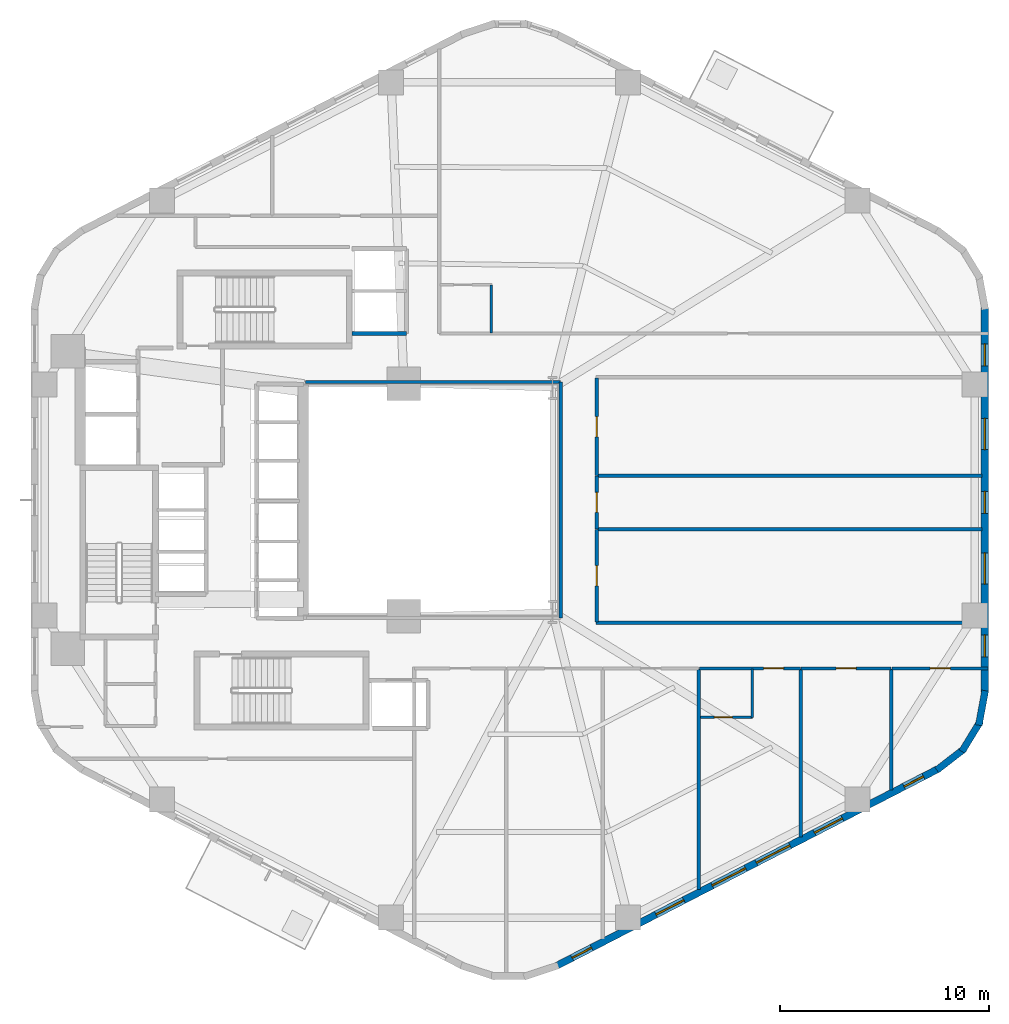
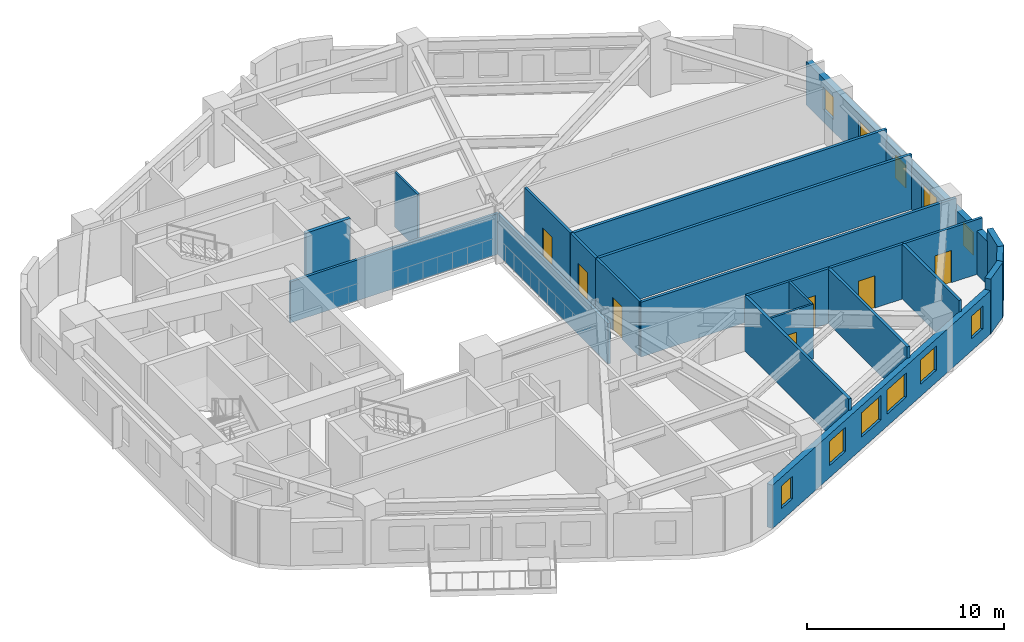
# One storey, part 4 of 8: 23 walls, 11 windows, 7 doors, 18 openings.
"""IFC4 building model written with IfcOpenShell, lengths in metres."""

from ifc_helpers import new_model, si_unit, direction, frame, frame_2d, origin, place, context, subcontext, project, spatial, rectangle, extrude, material, layer, layer_set, type_object, element, fill, save


model = new_model("IFC4")

# Units and contexts
model_context = context("Model", 3, precision=1e-05, world=origin(), true_north=direction((0.0, 1.0)))
body_context = subcontext(model_context, "Body", "Model", "MODEL_VIEW")
ifc_project = project(units=[si_unit("LENGTHUNIT", "METRE"), si_unit("AREAUNIT", "SQUARE_METRE"), si_unit("VOLUMEUNIT", "CUBIC_METRE"), si_unit("PLANEANGLEUNIT", "RADIAN"), si_unit("MASSUNIT", "GRAM", prefix="KILO"), si_unit("THERMODYNAMICTEMPERATUREUNIT", "KELVIN"), si_unit("POWERUNIT", "WATT")], contexts=[model_context])

# Site, building, storey
site_placement = place(None, origin())
site = spatial("IfcSite", under=ifc_project, at=site_placement, CompositionType="ELEMENT")
building_placement = place(site_placement, origin())
building = spatial("IfcBuilding", under=site, at=building_placement, Name="Skarre Station Tower", CompositionType="ELEMENT")
storey_placement = place(building_placement, frame((0.0, 0.0, 81.75)))
storey = spatial("IfcBuildingStorey", under=building, at=storey_placement, Name="L21", CompositionType="ELEMENT", Elevation=81.75)

# Walls
ifc_material_1 = material(Name="Acoustic Steel-Stud Gypsum Partition", Category="steel")
ifc_layer_1 = layer(ifc_material_1, 0.14990234375, Name="Acoustic Steel-Stud Gypsum Partition")
ifc_layer_set_1 = layer_set([ifc_layer_1], Name="Acoustic Steel-Stud Gypsum Partition")
wall_type_1 = type_object("IfcWallType", Name="Fire-Rated Corridor Acoustic Partition 150", PredefinedType="PARTITIONING", material=ifc_layer_set_1)
wall_1_placement = place(storey_placement, frame((39.840087890625, 29.639892578125, 0.0), z_axis=(0.0, 0.0, 1.0), x_axis=(-1.0, 0.0, 0.0)))
element("IfcWall", 1, at=wall_1_placement, inside=storey, type_object=wall_type_1, Name="L21 Interior Partition WL-PT-L21-ATRW-N", PredefinedType="PARTITIONING", context=body_context, shape_type="SweptSolid", body=[
    extrude(rectangle(XDim=12.2001953125, YDim=0.14990234375, at=frame_2d((6.10009765625, 0.0))), origin(), (0.0, 0.0, 1.0), 2.531005859375),
])
wall_2_placement = place(storey_placement, frame((39.840087890625, 18.360107421875, 0.0), z_axis=(0.0, 0.0, 1.0), x_axis=(0.0, 1.0, 0.0)))
element("IfcWall", 2, at=wall_2_placement, inside=storey, type_object=wall_type_1, Name="L21 Interior Partition WL-PT-L21-ATRW-E", PredefinedType="PARTITIONING", context=body_context, shape_type="SweptSolid", body=[
    extrude(rectangle(XDim=11.27978515625, YDim=0.14990234375, at=frame_2d((5.639892578125, 0.0))), origin(), (0.0, 0.0, 1.0), 2.512939453125),
])

# Wall, opening, door
wall_3_placement = place(storey_placement, frame((41.56005859375, 18.179931640625, 0.0), z_axis=(0.0, 0.0, 1.0), x_axis=(0.0, 1.0, 0.0)))
wall_3 = element("IfcWall", 3, at=wall_3_placement, inside=storey, type_object=wall_type_1, Name="L21 Interior Partition WL-PT-L21-EW1-CW", PredefinedType="PARTITIONING", context=body_context, shape_type="SweptSolid", body=[
    extrude(rectangle(XDim=4.405029296875, YDim=0.14990234375, at=frame_2d((2.20263671875, 0.0))), origin(), (0.0, 0.0, 1.0), 3.389892578125),
])
opening_1_placement = place(wall_3_placement, frame((1.722900390625, 0.0, 0.0)))
opening_1 = element("IfcOpeningElement", 4, at=opening_1_placement, cuts=wall_3, Name="Opening DR-FD60", PredefinedType="OPENING", context=body_context, shape_type="SweptSolid", body=[
    extrude(rectangle(XDim=0.9599609375, YDim=2.0, at=frame_2d((0.47998046875, 1.0))), frame((0.0, 0.0849609375, 0.0), z_axis=(0.0, -1.0, 0.0), x_axis=(1.0, 0.0, 0.0)), (0.0, 0.0, 1.0), 0.169921875),
])
ifc_material_2 = material(Name="Nordic White-Oak Veneer Solid-Core Fire Leaf", Category="wood")
door_type_1 = type_object("IfcDoorType", Name="Corridor Suite Entry Fire Door FD60 960x2150", OperationType="SINGLE_SWING_LEFT", PredefinedType="DOOR", material=ifc_material_2)
door_1_placement = place(opening_1_placement, origin())
door_1 = element("IfcDoor", 5, at=door_1_placement, inside=storey, type_object=door_type_1, Name="L21 EW1 Entry Door", OperationType="SINGLE_SWING_LEFT", OverallHeight=2.0, OverallWidth=0.9599609375, PredefinedType="DOOR", context=body_context, shape_type="SweptSolid", body=[
    extrude(rectangle(XDim=0.9599609375, YDim=2.0, at=frame_2d((0.47998046875, 1.0))), frame((0.0, 0.02490234375, 0.0), z_axis=(0.0, -1.0, 0.0), x_axis=(1.0, 0.0, 0.0)), (0.0, 0.0, 1.0), 0.050048828125),
])
fill(opening_1, door_1)

wall_4_placement = place(storey_placement, frame((41.56005859375, 22.62109375, 0.0), z_axis=(0.0, 0.0, 1.0), x_axis=(0.0, 1.0, 0.0)))
wall_4 = element("IfcWall", 6, at=wall_4_placement, inside=storey, type_object=wall_type_1, Name="L21 Interior Partition WL-PT-L21-EW2-CW", PredefinedType="PARTITIONING", context=body_context, shape_type="SweptSolid", body=[
    extrude(rectangle(XDim=2.52490234375, YDim=0.14990234375, at=frame_2d((1.262451171875, 0.0))), origin(), (0.0, 0.0, 1.0), 3.389892578125),
])
opening_2_placement = place(wall_4_placement, frame((0.782958984375, 0.0, 0.0)))
opening_2 = element("IfcOpeningElement", 7, at=opening_2_placement, cuts=wall_4, Name="Opening DR-FD60", PredefinedType="OPENING", context=body_context, shape_type="SweptSolid", body=[
    extrude(rectangle(XDim=0.9599609375, YDim=2.0, at=frame_2d((0.47998046875, 1.0))), frame((0.0, 0.0849609375, 0.0), z_axis=(0.0, -1.0, 0.0), x_axis=(1.0, 0.0, 0.0)), (0.0, 0.0, 1.0), 0.169921875),
])
door_2_placement = place(opening_2_placement, origin())
door_2 = element("IfcDoor", 8, at=door_2_placement, inside=storey, type_object=door_type_1, Name="L21 EW2 Entry Door", OperationType="SINGLE_SWING_LEFT", OverallHeight=2.0, OverallWidth=0.9599609375, PredefinedType="DOOR", context=body_context, shape_type="SweptSolid", body=[
    extrude(rectangle(XDim=0.9599609375, YDim=2.0, at=frame_2d((0.47998046875, 1.0))), frame((0.0, 0.02490234375, 0.0), z_axis=(0.0, -1.0, 0.0), x_axis=(1.0, 0.0, 0.0)), (0.0, 0.0, 1.0), 0.050048828125),
])
fill(opening_2, door_2)

wall_5_placement = place(storey_placement, frame((41.56005859375, 25.181884765625, 0.0), z_axis=(0.0, 0.0, 1.0), x_axis=(0.0, 1.0, 0.0)))
wall_5 = element("IfcWall", 9, at=wall_5_placement, inside=storey, type_object=wall_type_1, Name="L21 Interior Partition WL-PT-L21-EW3-CW", PredefinedType="PARTITIONING", context=body_context, shape_type="SweptSolid", body=[
    extrude(rectangle(XDim=4.63818359375, YDim=0.14990234375, at=frame_2d((2.319091796875, 0.0))), origin(), (0.0, 0.0, 1.0), 3.389892578125),
])
opening_3_placement = place(wall_5_placement, frame((1.839111328125, 0.0, 0.0)))
opening_3 = element("IfcOpeningElement", 10, at=opening_3_placement, cuts=wall_5, Name="Opening DR-FD60", PredefinedType="OPENING", context=body_context, shape_type="SweptSolid", body=[
    extrude(rectangle(XDim=0.9599609375, YDim=2.0, at=frame_2d((0.47998046875, 1.0))), frame((0.0, 0.0849609375, 0.0), z_axis=(0.0, -1.0, 0.0), x_axis=(1.0, 0.0, 0.0)), (0.0, 0.0, 1.0), 0.169921875),
])
door_3_placement = place(opening_3_placement, origin())
door_3 = element("IfcDoor", 11, at=door_3_placement, inside=storey, type_object=door_type_1, Name="L21 EW3 Entry Door", OperationType="SINGLE_SWING_LEFT", OverallHeight=2.0, OverallWidth=0.9599609375, PredefinedType="DOOR", context=body_context, shape_type="SweptSolid", body=[
    extrude(rectangle(XDim=0.9599609375, YDim=2.0, at=frame_2d((0.47998046875, 1.0))), frame((0.0, 0.02490234375, 0.0), z_axis=(0.0, -1.0, 0.0), x_axis=(1.0, 0.0, 0.0)), (0.0, 0.0, 1.0), 0.050048828125),
])
fill(opening_3, door_3)

wall_6_placement = place(storey_placement, frame((46.4599609375, 15.9599609375, 0.0), z_axis=(0.0, 0.0, 1.0), x_axis=(1.0, 0.0, 0.0)))
wall_6 = element("IfcWall", 12, at=wall_6_placement, inside=storey, type_object=wall_type_1, Name="L21 Interior Partition WL-PT-L21-SW4-CW", PredefinedType="PARTITIONING", context=body_context, shape_type="SweptSolid", body=[
    extrude(rectangle(XDim=4.8310546875, YDim=0.14990234375, at=frame_2d((2.41552734375, 0.0))), origin(), (0.0, 0.0, 1.0), 3.389892578125),
])
opening_4_placement = place(wall_6_placement, frame((3.071044921875, 0.0, 0.0)))
opening_4 = element("IfcOpeningElement", 13, at=opening_4_placement, cuts=wall_6, Name="Opening DR-FD60", PredefinedType="OPENING", context=body_context, shape_type="SweptSolid", body=[
    extrude(rectangle(XDim=0.9599609375, YDim=2.0, at=frame_2d((0.47998046875, 1.0))), frame((0.0, 0.0849609375, 0.0), z_axis=(0.0, -1.0, 0.0), x_axis=(1.0, 0.0, 0.0)), (0.0, 0.0, 1.0), 0.169921875),
])
door_4_placement = place(opening_4_placement, origin())
door_4 = element("IfcDoor", 14, at=door_4_placement, inside=storey, type_object=door_type_1, Name="L21 SW4 Entry Door", OperationType="SINGLE_SWING_LEFT", OverallHeight=2.0, OverallWidth=0.9599609375, PredefinedType="DOOR", context=body_context, shape_type="SweptSolid", body=[
    extrude(rectangle(XDim=0.9599609375, YDim=2.0, at=frame_2d((0.47998046875, 1.0))), frame((0.0, 0.02490234375, 0.0), z_axis=(0.0, -1.0, 0.0), x_axis=(1.0, 0.0, 0.0)), (0.0, 0.0, 1.0), 0.050048828125),
])
fill(opening_4, door_4)

wall_7_placement = place(storey_placement, frame((51.326904296875, 15.9599609375, 0.0), z_axis=(0.0, 0.0, 1.0), x_axis=(1.0, 0.0, 0.0)))
wall_7 = element("IfcWall", 15, at=wall_7_placement, inside=storey, type_object=wall_type_1, Name="L21 Interior Partition WL-PT-L21-SW5-CW", PredefinedType="PARTITIONING", context=body_context, shape_type="SweptSolid", body=[
    extrude(rectangle(XDim=4.291015625, YDim=0.14990234375, at=frame_2d((2.1455078125, 0.0))), origin(), (0.0, 0.0, 1.0), 3.389892578125),
])
opening_5_placement = place(wall_7_placement, frame((1.666015625, 0.0, 0.0)))
opening_5 = element("IfcOpeningElement", 16, at=opening_5_placement, cuts=wall_7, Name="Opening DR-FD60", PredefinedType="OPENING", context=body_context, shape_type="SweptSolid", body=[
    extrude(rectangle(XDim=0.9599609375, YDim=2.0, at=frame_2d((0.47998046875, 1.0))), frame((0.0, 0.0849609375, 0.0), z_axis=(0.0, -1.0, 0.0), x_axis=(1.0, 0.0, 0.0)), (0.0, 0.0, 1.0), 0.169921875),
])
door_5_placement = place(opening_5_placement, origin())
door_5 = element("IfcDoor", 17, at=door_5_placement, inside=storey, type_object=door_type_1, Name="L21 SW5 Entry Door", OperationType="SINGLE_SWING_LEFT", OverallHeight=2.0, OverallWidth=0.9599609375, PredefinedType="DOOR", context=body_context, shape_type="SweptSolid", body=[
    extrude(rectangle(XDim=0.9599609375, YDim=2.0, at=frame_2d((0.47998046875, 1.0))), frame((0.0, 0.02490234375, 0.0), z_axis=(0.0, -1.0, 0.0), x_axis=(1.0, 0.0, 0.0)), (0.0, 0.0, 1.0), 0.050048828125),
])
fill(opening_5, door_5)

wall_8_placement = place(storey_placement, frame((55.654052734375, 15.9599609375, 0.0), z_axis=(0.0, 0.0, 1.0), x_axis=(1.0, 0.0, 0.0)))
wall_8 = element("IfcWall", 18, at=wall_8_placement, inside=storey, type_object=wall_type_1, Name="L21 Interior Partition WL-PT-L21-SW6-CW", PredefinedType="PARTITIONING", context=body_context, shape_type="SweptSolid", body=[
    extrude(rectangle(XDim=4.598876953125, YDim=0.14990234375, at=frame_2d((2.29931640625, 0.0))), origin(), (0.0, 0.0, 1.0), 3.389892578125),
])
opening_6_placement = place(wall_8_placement, frame((1.8330078125, 0.0, 0.0)))
opening_6 = element("IfcOpeningElement", 19, at=opening_6_placement, cuts=wall_8, Name="Opening DR-FD60", PredefinedType="OPENING", context=body_context, shape_type="SweptSolid", body=[
    extrude(rectangle(XDim=0.9599609375, YDim=2.0, at=frame_2d((0.47998046875, 1.0))), frame((0.0, 0.0849609375, 0.0), z_axis=(0.0, -1.0, 0.0), x_axis=(1.0, 0.0, 0.0)), (0.0, 0.0, 1.0), 0.169921875),
])
door_6_placement = place(opening_6_placement, origin())
door_6 = element("IfcDoor", 20, at=door_6_placement, inside=storey, type_object=door_type_1, Name="L21 SW6 Entry Door", OperationType="SINGLE_SWING_LEFT", OverallHeight=2.0, OverallWidth=0.9599609375, PredefinedType="DOOR", context=body_context, shape_type="SweptSolid", body=[
    extrude(rectangle(XDim=0.9599609375, YDim=2.0, at=frame_2d((0.47998046875, 1.0))), frame((0.0, 0.02490234375, 0.0), z_axis=(0.0, -1.0, 0.0), x_axis=(1.0, 0.0, 0.0)), (0.0, 0.0, 1.0), 0.050048828125),
])
fill(opening_6, door_6)

# Wall
ifc_material_3 = material(Name="Insulated Timber-Stud Gypsum Partition", Category="wood")
ifc_layer_2 = layer(ifc_material_3, 0.1201171875, Name="Insulated Timber-Stud Gypsum Partition")
ifc_layer_set_2 = layer_set([ifc_layer_2], Name="Insulated Timber-Stud Gypsum Partition")
wall_type_2 = type_object("IfcWallType", Name="Internal Suite Acoustic Partition 120", PredefinedType="PARTITIONING", material=ifc_layer_set_2)
wall_9_placement = place(storey_placement, frame((36.530029296875, 31.97998046875, 0.0), z_axis=(0.0, 0.0, 1.0), x_axis=(0.0, 1.0, 0.0)))
element("IfcWall", 21, at=wall_9_placement, inside=storey, type_object=wall_type_2, Name="L21 Interior Partition WL-PT-L21-NW1-SA2", PredefinedType="PARTITIONING", context=body_context, shape_type="SweptSolid", body=[
    extrude(rectangle(XDim=2.300048828125, YDim=0.1201171875, at=frame_2d((1.14990234375, 0.0))), origin(), (0.0, 0.0, 1.0), 3.389892578125),
])

# Wall, opening, door
wall_10_placement = place(storey_placement, frame((46.527099609375, 13.6201171875, 0.0), z_axis=(0.0, 0.0, 1.0), x_axis=(1.0, 0.0, 0.0)))
wall_10 = element("IfcWall", 22, at=wall_10_placement, inside=storey, type_object=wall_type_2, Name="L21 Interior Partition WL-PT-L21-SW4-SA1", PredefinedType="PARTITIONING", context=body_context, shape_type="SweptSolid", body=[
    extrude(rectangle(XDim=2.47998046875, YDim=0.1201171875, at=frame_2d((1.239990234375, 0.0))), origin(), (0.0, 0.0, 1.0), 3.389892578125),
])
opening_7_placement = place(wall_10_placement, frame((0.64990234375, 0.0, 0.0)))
opening_7 = element("IfcOpeningElement", 23, at=opening_7_placement, cuts=wall_10, Name="Opening DR-INT86", PredefinedType="OPENING", context=body_context, shape_type="SweptSolid", body=[
    extrude(rectangle(XDim=0.860107421875, YDim=2.0, at=frame_2d((0.43017578125, 1.0))), frame((0.0, 0.070068359375, 0.0), z_axis=(0.0, -1.0, 0.0), x_axis=(1.0, 0.0, 0.0)), (0.0, 0.0, 1.0), 0.14013671875),
])
ifc_material_4 = material(Name="Nordic Birch Acoustic Solid-Core Timber Leaf", Category="wood")
door_type_2 = type_object("IfcDoorType", Name="Internal En-Suite & Bedroom Door 860x2100", OperationType="SINGLE_SWING_LEFT", PredefinedType="DOOR", material=ifc_material_4)
door_7_placement = place(opening_7_placement, origin())
door_7 = element("IfcDoor", 24, at=door_7_placement, inside=storey, type_object=door_type_2, Name="L21 SW4 Alcove Store Door", OperationType="SINGLE_SWING_LEFT", OverallHeight=2.0, OverallWidth=0.860107421875, PredefinedType="DOOR", context=body_context, shape_type="SweptSolid", body=[
    extrude(rectangle(XDim=0.860107421875, YDim=2.0, at=frame_2d((0.43017578125, 1.0))), frame((0.0, 0.02490234375, 0.0), z_axis=(0.0, -1.0, 0.0), x_axis=(1.0, 0.0, 0.0)), (0.0, 0.0, 1.0), 0.050048828125),
])
fill(opening_7, door_7)

# Wall
wall_11_placement = place(storey_placement, frame((48.97705078125, 13.6201171875, 0.0), z_axis=(0.0, 0.0, 1.0), x_axis=(0.0, 1.0, 0.0)))
element("IfcWall", 25, at=wall_11_placement, inside=storey, type_object=wall_type_2, Name="L21 Interior Partition WL-PT-L21-SW4-SA2", PredefinedType="PARTITIONING", context=body_context, shape_type="SweptSolid", body=[
    extrude(rectangle(XDim=2.2998046875, YDim=0.1201171875, at=frame_2d((1.14990234375, 0.0))), origin(), (0.0, 0.0, 1.0), 3.389892578125),
])

# Wall, openings, windows
ifc_material_5 = material(Name="Precast concrete C45/55", Category="concrete")
ifc_layer_3 = layer(ifc_material_5, 0.340087890625, Name="Precast concrete C45/55")
ifc_layer_set_3 = layer_set([ifc_layer_3], Name="Precast concrete C45/55")
wall_type_3 = type_object("IfcWallType", Name="Nordic Honed Precast Facet Wall 340", PredefinedType="STANDARD", material=ifc_layer_set_3)
wall_12_placement = place(storey_placement, frame((57.8759765625, 11.158935546875, 0.0), z_axis=(0.0, 0.0, 1.0), x_axis=(-0.888634413993, -0.458616264721, 0.0)))
wall_12 = element("IfcWall", 26, at=wall_12_placement, inside=storey, type_object=wall_type_3, Name="L21 Facet 4 Nordic Precast Masonry Wall", PredefinedType="STANDARD", context=body_context, shape_type="SweptSolid", body=[
    extrude(rectangle(XDim=20.53125, YDim=0.340087890625, at=frame_2d((10.265625, 0.0))), origin(), (0.0, 0.0, 1.0), 2.68408203125),
])
opening_8_placement = place(wall_12_placement, frame((0.798095703125, 0.0, 0.75)))
opening_8 = element("IfcOpeningElement", 27, at=opening_8_placement, cuts=wall_12, Name="Opening WN-SLT", PredefinedType="OPENING", context=body_context, shape_type="SweptSolid", body=[
    extrude(rectangle(XDim=1.050048828125, YDim=1.39990234375, at=frame_2d((0.52490234375, 0.699951171875))), frame((0.0, 0.179931640625, 0.0), z_axis=(0.0, -1.0, 0.0), x_axis=(1.0, 0.0, 0.0)), (0.0, 0.0, 1.0), 0.360107421875),
])
opening_9_placement = place(wall_12_placement, frame((5.156005859375, 0.0, 0.75)))
opening_9 = element("IfcOpeningElement", 28, at=opening_9_placement, cuts=wall_12, Name="Opening WN-Z1B", PredefinedType="OPENING", context=body_context, shape_type="SweptSolid", body=[
    extrude(rectangle(XDim=1.5, YDim=1.5, at=frame_2d((0.75, 0.75))), frame((0.0, 0.179931640625, 0.0), z_axis=(0.0, -1.0, 0.0), x_axis=(1.0, 0.0, 0.0)), (0.0, 0.0, 1.0), 0.360107421875),
])
opening_10_placement = place(wall_12_placement, frame((7.97900390625, 0.0, 0.75)))
opening_10 = element("IfcOpeningElement", 29, at=opening_10_placement, cuts=wall_12, Name="Opening WN-Z1A", PredefinedType="OPENING", context=body_context, shape_type="SweptSolid", body=[
    extrude(rectangle(XDim=1.800048828125, YDim=1.5, at=frame_2d((0.89990234375, 0.75))), frame((0.0, 0.179931640625, 0.0), z_axis=(0.0, -1.0, 0.0), x_axis=(1.0, 0.0, 0.0)), (0.0, 0.0, 1.0), 0.360107421875),
])
opening_11_placement = place(wall_12_placement, frame((10.35498046875, 0.0, 0.75)))
opening_11 = element("IfcOpeningElement", 30, at=opening_11_placement, cuts=wall_12, Name="Opening WN-Z1A", PredefinedType="OPENING", context=body_context, shape_type="SweptSolid", body=[
    extrude(rectangle(XDim=1.800048828125, YDim=1.5, at=frame_2d((0.89990234375, 0.75))), frame((0.0, 0.179931640625, 0.0), z_axis=(0.0, -1.0, 0.0), x_axis=(1.0, 0.0, 0.0)), (0.0, 0.0, 1.0), 0.360107421875),
])
opening_12_placement = place(wall_12_placement, frame((13.676025390625, 0.0, 0.75)))
opening_12 = element("IfcOpeningElement", 31, at=opening_12_placement, cuts=wall_12, Name="Opening WN-Z1B", PredefinedType="OPENING", context=body_context, shape_type="SweptSolid", body=[
    extrude(rectangle(XDim=1.5, YDim=1.5, at=frame_2d((0.75, 0.75))), frame((0.0, 0.179931640625, 0.0), z_axis=(0.0, -1.0, 0.0), x_axis=(1.0, 0.0, 0.0)), (0.0, 0.0, 1.0), 0.360107421875),
])
opening_13_placement = place(wall_12_placement, frame((18.636962890625, 0.0, 0.75)))
opening_13 = element("IfcOpeningElement", 32, at=opening_13_placement, cuts=wall_12, Name="Opening WN-SLT", PredefinedType="OPENING", context=body_context, shape_type="SweptSolid", body=[
    extrude(rectangle(XDim=1.050048828125, YDim=1.39990234375, at=frame_2d((0.52490234375, 0.699951171875))), frame((0.0, 0.179931640625, 0.0), z_axis=(0.0, -1.0, 0.0), x_axis=(1.0, 0.0, 0.0)), (0.0, 0.0, 1.0), 0.360107421875),
])
ifc_material_6 = material(Name="Low-Iron Triple Glazing with Bronze Anodized Frame", Category="glass")
window_type_1 = type_object("IfcWindowType", Name="Nordic Corner Slot Window 1050x1400", PartitioningType="SINGLE_PANEL", PredefinedType="WINDOW", material=ifc_material_6)
window_1_placement = place(opening_8_placement, origin())
window_1 = element("IfcWindow", 33, at=window_1_placement, inside=storey, type_object=window_type_1, Name="L21 Facade Window WL-FAC-L21-F4-1", OverallHeight=1.39990234375, OverallWidth=1.050048828125, PartitioningType="SINGLE_PANEL", PredefinedType="WINDOW", context=body_context, shape_type="SweptSolid", body=[
    extrude(rectangle(XDim=1.050048828125, YDim=1.39990234375, at=frame_2d((0.52490234375, 0.699951171875))), frame((0.0, 0.030029296875, 0.0), z_axis=(0.0, -1.0, 0.0), x_axis=(1.0, 0.0, 0.0)), (0.0, 0.0, 1.0), 0.06005859375),
])
fill(opening_8, window_1)
window_2_placement = place(opening_13_placement, origin())
window_2 = element("IfcWindow", 34, at=window_2_placement, inside=storey, type_object=window_type_1, Name="L21 Facade Window WL-FAC-L21-F4-6", OverallHeight=1.39990234375, OverallWidth=1.050048828125, PartitioningType="SINGLE_PANEL", PredefinedType="WINDOW", context=body_context, shape_type="SweptSolid", body=[
    extrude(rectangle(XDim=1.050048828125, YDim=1.39990234375, at=frame_2d((0.52490234375, 0.699951171875))), frame((0.0, 0.030029296875, 0.0), z_axis=(0.0, -1.0, 0.0), x_axis=(1.0, 0.0, 0.0)), (0.0, 0.0, 1.0), 0.06005859375),
])
fill(opening_13, window_2)
window_type_2 = type_object("IfcWindowType", Name="Nordic Punched Triple-Glazed Window 1500x1500", PartitioningType="SINGLE_PANEL", PredefinedType="WINDOW", material=ifc_material_6)
window_3_placement = place(opening_9_placement, origin())
window_3 = element("IfcWindow", 35, at=window_3_placement, inside=storey, type_object=window_type_2, Name="L21 Facade Window WL-FAC-L21-F4-2", OverallHeight=1.5, OverallWidth=1.5, PartitioningType="SINGLE_PANEL", PredefinedType="WINDOW", context=body_context, shape_type="SweptSolid", body=[
    extrude(rectangle(XDim=1.5, YDim=1.5, at=frame_2d((0.75, 0.75))), frame((0.0, 0.030029296875, 0.0), z_axis=(0.0, -1.0, 0.0), x_axis=(1.0, 0.0, 0.0)), (0.0, 0.0, 1.0), 0.06005859375),
])
fill(opening_9, window_3)
window_4_placement = place(opening_12_placement, origin())
window_4 = element("IfcWindow", 36, at=window_4_placement, inside=storey, type_object=window_type_2, Name="L21 Facade Window WL-FAC-L21-F4-5", OverallHeight=1.5, OverallWidth=1.5, PartitioningType="SINGLE_PANEL", PredefinedType="WINDOW", context=body_context, shape_type="SweptSolid", body=[
    extrude(rectangle(XDim=1.5, YDim=1.5, at=frame_2d((0.75, 0.75))), frame((0.0, 0.030029296875, 0.0), z_axis=(0.0, -1.0, 0.0), x_axis=(1.0, 0.0, 0.0)), (0.0, 0.0, 1.0), 0.06005859375),
])
fill(opening_12, window_4)
window_type_3 = type_object("IfcWindowType", Name="Nordic Punched Triple-Glazed Window 1800x1500", PartitioningType="SINGLE_PANEL", PredefinedType="WINDOW", material=ifc_material_6)
window_5_placement = place(opening_10_placement, origin())
window_5 = element("IfcWindow", 37, at=window_5_placement, inside=storey, type_object=window_type_3, Name="L21 Facade Window WL-FAC-L21-F4-3", OverallHeight=1.5, OverallWidth=1.800048828125, PartitioningType="SINGLE_PANEL", PredefinedType="WINDOW", context=body_context, shape_type="SweptSolid", body=[
    extrude(rectangle(XDim=1.800048828125, YDim=1.5, at=frame_2d((0.89990234375, 0.75))), frame((0.0, 0.030029296875, 0.0), z_axis=(0.0, -1.0, 0.0), x_axis=(1.0, 0.0, 0.0)), (0.0, 0.0, 1.0), 0.06005859375),
])
fill(opening_10, window_5)
window_6_placement = place(opening_11_placement, origin())
window_6 = element("IfcWindow", 38, at=window_6_placement, inside=storey, type_object=window_type_3, Name="L21 Facade Window WL-FAC-L21-F4-4", OverallHeight=1.5, OverallWidth=1.800048828125, PartitioningType="SINGLE_PANEL", PredefinedType="WINDOW", context=body_context, shape_type="SweptSolid", body=[
    extrude(rectangle(XDim=1.800048828125, YDim=1.5, at=frame_2d((0.89990234375, 0.75))), frame((0.0, 0.030029296875, 0.0), z_axis=(0.0, -1.0, 0.0), x_axis=(1.0, 0.0, 0.0)), (0.0, 0.0, 1.0), 0.06005859375),
])
fill(opening_11, window_6)

wall_13_placement = place(storey_placement, frame((60.093017578125, 33.201904296875, 0.0), z_axis=(0.0, 0.0, 1.0), x_axis=(0.0, -1.0, 0.0)))
wall_13 = element("IfcWall", 39, at=wall_13_placement, inside=storey, type_object=wall_type_3, Name="L21 Facet 5 Nordic Precast Masonry Wall", PredefinedType="STANDARD", context=body_context, shape_type="SweptSolid", body=[
    extrude(rectangle(XDim=18.40380859375, YDim=0.340087890625, at=frame_2d((9.201904296875, 0.0))), origin(), (0.0, 0.0, 1.0), 2.68408203125),
])
opening_14_placement = place(wall_13_placement, frame((1.743896484375, 0.0, 0.75)))
opening_14 = element("IfcOpeningElement", 40, at=opening_14_placement, cuts=wall_13, Name="Opening WN-SLT", PredefinedType="OPENING", context=body_context, shape_type="SweptSolid", body=[
    extrude(rectangle(XDim=1.050048828125, YDim=1.39990234375, at=frame_2d((0.52490234375, 0.699951171875))), frame((0.0, 0.179931640625, 0.0), z_axis=(0.0, -1.0, 0.0), x_axis=(1.0, 0.0, 0.0)), (0.0, 0.0, 1.0), 0.360107421875),
])
opening_15_placement = place(wall_13_placement, frame((5.298095703125, 0.0, 0.75)))
opening_15 = element("IfcOpeningElement", 41, at=opening_15_placement, cuts=wall_13, Name="Opening WN-Z1B", PredefinedType="OPENING", context=body_context, shape_type="SweptSolid", body=[
    extrude(rectangle(XDim=1.5, YDim=1.5, at=frame_2d((0.75, 0.75))), frame((0.0, 0.179931640625, 0.0), z_axis=(0.0, -1.0, 0.0), x_axis=(1.0, 0.0, 0.0)), (0.0, 0.0, 1.0), 0.360107421875),
])
opening_16_placement = place(wall_13_placement, frame((8.79296875, 0.0, 0.75)))
opening_16 = element("IfcOpeningElement", 42, at=opening_16_placement, cuts=wall_13, Name="Opening WN-SLT", PredefinedType="OPENING", context=body_context, shape_type="SweptSolid", body=[
    extrude(rectangle(XDim=1.050048828125, YDim=1.39990234375, at=frame_2d((0.52490234375, 0.699951171875))), frame((0.0, 0.179931640625, 0.0), z_axis=(0.0, -1.0, 0.0), x_axis=(1.0, 0.0, 0.0)), (0.0, 0.0, 1.0), 0.360107421875),
])
opening_17_placement = place(wall_13_placement, frame((11.721923828125, 0.0, 0.75)))
opening_17 = element("IfcOpeningElement", 43, at=opening_17_placement, cuts=wall_13, Name="Opening WN-Z1B", PredefinedType="OPENING", context=body_context, shape_type="SweptSolid", body=[
    extrude(rectangle(XDim=1.5, YDim=1.5, at=frame_2d((0.75, 0.75))), frame((0.0, 0.179931640625, 0.0), z_axis=(0.0, -1.0, 0.0), x_axis=(1.0, 0.0, 0.0)), (0.0, 0.0, 1.0), 0.360107421875),
])
opening_18_placement = place(wall_13_placement, frame((15.64990234375, 0.0, 0.75)))
opening_18 = element("IfcOpeningElement", 44, at=opening_18_placement, cuts=wall_13, Name="Opening WN-SLT", PredefinedType="OPENING", context=body_context, shape_type="SweptSolid", body=[
    extrude(rectangle(XDim=1.050048828125, YDim=1.39990234375, at=frame_2d((0.52490234375, 0.699951171875))), frame((0.0, 0.179931640625, 0.0), z_axis=(0.0, -1.0, 0.0), x_axis=(1.0, 0.0, 0.0)), (0.0, 0.0, 1.0), 0.360107421875),
])
window_7_placement = place(opening_14_placement, origin())
window_7 = element("IfcWindow", 45, at=window_7_placement, inside=storey, type_object=window_type_1, Name="L21 Facade Window WL-FAC-L21-F5-1", OverallHeight=1.39990234375, OverallWidth=1.050048828125, PartitioningType="SINGLE_PANEL", PredefinedType="WINDOW", context=body_context, shape_type="SweptSolid", body=[
    extrude(rectangle(XDim=1.050048828125, YDim=1.39990234375, at=frame_2d((0.52490234375, 0.699951171875))), frame((0.0, 0.030029296875, 0.0), z_axis=(0.0, -1.0, 0.0), x_axis=(1.0, 0.0, 0.0)), (0.0, 0.0, 1.0), 0.06005859375),
])
fill(opening_14, window_7)
window_8_placement = place(opening_16_placement, origin())
window_8 = element("IfcWindow", 46, at=window_8_placement, inside=storey, type_object=window_type_1, Name="L21 Facade Window WL-FAC-L21-F5-3", OverallHeight=1.39990234375, OverallWidth=1.050048828125, PartitioningType="SINGLE_PANEL", PredefinedType="WINDOW", context=body_context, shape_type="SweptSolid", body=[
    extrude(rectangle(XDim=1.050048828125, YDim=1.39990234375, at=frame_2d((0.52490234375, 0.699951171875))), frame((0.0, 0.030029296875, 0.0), z_axis=(0.0, -1.0, 0.0), x_axis=(1.0, 0.0, 0.0)), (0.0, 0.0, 1.0), 0.06005859375),
])
fill(opening_16, window_8)
window_9_placement = place(opening_18_placement, origin())
window_9 = element("IfcWindow", 47, at=window_9_placement, inside=storey, type_object=window_type_1, Name="L21 Facade Window WL-FAC-L21-F5-5", OverallHeight=1.39990234375, OverallWidth=1.050048828125, PartitioningType="SINGLE_PANEL", PredefinedType="WINDOW", context=body_context, shape_type="SweptSolid", body=[
    extrude(rectangle(XDim=1.050048828125, YDim=1.39990234375, at=frame_2d((0.52490234375, 0.699951171875))), frame((0.0, 0.030029296875, 0.0), z_axis=(0.0, -1.0, 0.0), x_axis=(1.0, 0.0, 0.0)), (0.0, 0.0, 1.0), 0.06005859375),
])
fill(opening_18, window_9)
window_10_placement = place(opening_15_placement, origin())
window_10 = element("IfcWindow", 48, at=window_10_placement, inside=storey, type_object=window_type_2, Name="L21 Facade Window WL-FAC-L21-F5-2", OverallHeight=1.5, OverallWidth=1.5, PartitioningType="SINGLE_PANEL", PredefinedType="WINDOW", context=body_context, shape_type="SweptSolid", body=[
    extrude(rectangle(XDim=1.5, YDim=1.5, at=frame_2d((0.75, 0.75))), frame((0.0, 0.030029296875, 0.0), z_axis=(0.0, -1.0, 0.0), x_axis=(1.0, 0.0, 0.0)), (0.0, 0.0, 1.0), 0.06005859375),
])
fill(opening_15, window_10)
window_11_placement = place(opening_17_placement, origin())
window_11 = element("IfcWindow", 49, at=window_11_placement, inside=storey, type_object=window_type_2, Name="L21 Facade Window WL-FAC-L21-F5-4", OverallHeight=1.5, OverallWidth=1.5, PartitioningType="SINGLE_PANEL", PredefinedType="WINDOW", context=body_context, shape_type="SweptSolid", body=[
    extrude(rectangle(XDim=1.5, YDim=1.5, at=frame_2d((0.75, 0.75))), frame((0.0, 0.030029296875, 0.0), z_axis=(0.0, -1.0, 0.0), x_axis=(1.0, 0.0, 0.0)), (0.0, 0.0, 1.0), 0.06005859375),
])
fill(opening_17, window_11)

# Walls
ifc_layer_4 = layer(ifc_material_5, 0.330078125, Name="Precast concrete C45/55")
ifc_layer_set_4 = layer_set([ifc_layer_4], Name="Precast concrete C45/55")
wall_type_4 = type_object("IfcWallType", Name="Nordic Rounded Corner Precast Wall 330", PredefinedType="STANDARD", material=ifc_layer_set_4)
wall_14_placement = place(storey_placement, frame((60.113037109375, 14.89208984375, 0.0), z_axis=(0.0, 0.0, 1.0), x_axis=(-0.181714143354, -0.983351397063, 0.0)))
element("IfcWall", 50, at=wall_14_placement, inside=storey, type_object=wall_type_4, Name="L21 Rounded Corner Precast Wall F5-1", PredefinedType="STANDARD", context=body_context, shape_type="SweptSolid", body=[
    extrude(rectangle(XDim=1.677978515625, YDim=0.330078125, at=frame_2d((0.8388671875, 0.0))), origin(), (0.0, 0.0, 1.0), 3.389892578125),
])
wall_15_placement = place(storey_placement, frame((59.875, 13.4169921875, 0.0), z_axis=(0.0, 0.0, 1.0), x_axis=(-0.520584129191, -0.853810379671, 0.0)))
element("IfcWall", 51, at=wall_15_placement, inside=storey, type_object=wall_type_4, Name="L21 Rounded Corner Precast Wall F5-2", PredefinedType="STANDARD", context=body_context, shape_type="SweptSolid", body=[
    extrude(rectangle(XDim=1.677001953125, YDim=0.330078125, at=frame_2d((0.83837890625, 0.0))), origin(), (0.0, 0.0, 1.0), 3.389892578125),
])
wall_16_placement = place(storey_placement, frame((59.126953125, 12.125, 0.0), z_axis=(0.0, 0.0, 1.0), x_axis=(-0.790691856293, -0.61221433207, 0.0)))
element("IfcWall", 52, at=wall_16_placement, inside=storey, type_object=wall_type_4, Name="L21 Rounded Corner Precast Wall F5-3", PredefinedType="STANDARD", context=body_context, shape_type="SweptSolid", body=[
    extrude(rectangle(XDim=1.67578125, YDim=0.330078125, at=frame_2d((0.837890625, 0.0))), origin(), (0.0, 0.0, 1.0), 3.389892578125),
])
ifc_material_7 = material(Name="Gypsum Concrete Shaft Assembly C30/37", Category="concrete")
ifc_layer_5 = layer(ifc_material_7, 0.199951171875, Name="Gypsum Concrete Shaft Assembly C30/37")
ifc_layer_set_5 = layer_set([ifc_layer_5], Name="Gypsum Concrete Shaft Assembly C30/37")
wall_type_5 = type_object("IfcWallType", Name="Shaft & Core Fire Partition 200", PredefinedType="PARTITIONING", material=ifc_layer_set_5)
wall_17_placement = place(storey_placement, frame((32.47998046875, 31.949951171875, 0.0), z_axis=(0.0, 0.0, 1.0), x_axis=(-1.0, 0.0, 0.0)))
element("IfcWall", 53, at=wall_17_placement, inside=storey, type_object=wall_type_5, Name="L21 Interior Partition WL-PT-L21-EX-S", PredefinedType="PARTITIONING", context=body_context, shape_type="SweptSolid", body=[
    extrude(rectangle(XDim=2.60009765625, YDim=0.199951171875, at=frame_2d((1.300048828125, 0.0))), origin(), (0.0, 0.0, 1.0), 3.389892578125),
])
ifc_layer_6 = layer(ifc_material_1, 0.1650390625, Name="Acoustic Steel-Stud Gypsum Partition")
ifc_layer_set_6 = layer_set([ifc_layer_6], Name="Acoustic Steel-Stud Gypsum Partition")
wall_type_6 = type_object("IfcWallType", Name="Suite Demising Acoustic Partition 165", PredefinedType="PARTITIONING", material=ifc_layer_set_6)
wall_18_placement = place(storey_placement, frame((41.52001953125, 18.139892578125, 0.0), z_axis=(0.0, 0.0, 1.0), x_axis=(1.0, 0.0, 0.0)))
element("IfcWall", 54, at=wall_18_placement, inside=storey, type_object=wall_type_6, Name="L21 Interior Partition WL-PT-L21-EWB-S", PredefinedType="PARTITIONING", context=body_context, shape_type="SweptSolid", body=[
    extrude(rectangle(XDim=18.452880859375, YDim=0.1650390625, at=frame_2d((9.2265625, 0.0))), origin(), (0.0, 0.0, 1.0), 3.389892578125),
])
for number, where, z_axis, x_axis, name in (
    (55, (41.590087890625, 22.60302734375, 0.0), (0.0, 0.0, 1.0), (1.0, 0.0, 0.0), "L21 Interior Partition WL-PT-L21-EW-P1"),
    (56, (41.590087890625, 25.1640625, 0.0), (0.0, 0.0, 1.0), (1.0, 0.0, 0.0), "L21 Interior Partition WL-PT-L21-EW-P2"),
):
    element("IfcWall", number, at=place(storey_placement, frame(where, z_axis=z_axis, x_axis=x_axis)), inside=storey, type_object=wall_type_6, Name=name, PredefinedType="PARTITIONING", context=body_context, shape_type="SweptSolid", body=[
        extrude(rectangle(XDim=18.3828125, YDim=0.1650390625, at=frame_2d((9.19140625, 0.0))), origin(), (0.0, 0.0, 1.0), 3.389892578125),
    ])
wall_19_placement = place(storey_placement, frame((46.44189453125, 5.39306640625, 0.0), z_axis=(0.0, 0.0, 1.0), x_axis=(0.0, 1.0, 0.0)))
element("IfcWall", 57, at=wall_19_placement, inside=storey, type_object=wall_type_6, Name="L21 Interior Partition WL-PT-L21-SW-P3", PredefinedType="PARTITIONING", context=body_context, shape_type="SweptSolid", body=[
    extrude(rectangle(XDim=10.536865234375, YDim=0.1650390625, at=frame_2d((5.2685546875, 0.0))), origin(), (0.0, 0.0, 1.0), 3.389892578125),
])
wall_20_placement = place(storey_placement, frame((51.30908203125, 7.905029296875, 0.0), z_axis=(0.0, 0.0, 1.0), x_axis=(0.0, 1.0, 0.0)))
element("IfcWall", 58, at=wall_20_placement, inside=storey, type_object=wall_type_6, Name="L21 Interior Partition WL-PT-L21-SW-P4", PredefinedType="PARTITIONING", context=body_context, shape_type="SweptSolid", body=[
    extrude(rectangle(XDim=8.02490234375, YDim=0.1650390625, at=frame_2d((4.012451171875, 0.0))), origin(), (0.0, 0.0, 1.0), 3.389892578125),
])
wall_21_placement = place(storey_placement, frame((55.635986328125, 10.137939453125, 0.0), z_axis=(0.0, 0.0, 1.0), x_axis=(0.0, 1.0, 0.0)))
element("IfcWall", 59, at=wall_21_placement, inside=storey, type_object=wall_type_6, Name="L21 Interior Partition WL-PT-L21-SW-P5", PredefinedType="PARTITIONING", context=body_context, shape_type="SweptSolid", body=[
    extrude(rectangle(XDim=5.7919921875, YDim=0.1650390625, at=frame_2d((2.89599609375, 0.0))), origin(), (0.0, 0.0, 1.0), 3.389892578125),
])

save(model, "model.ifc")
